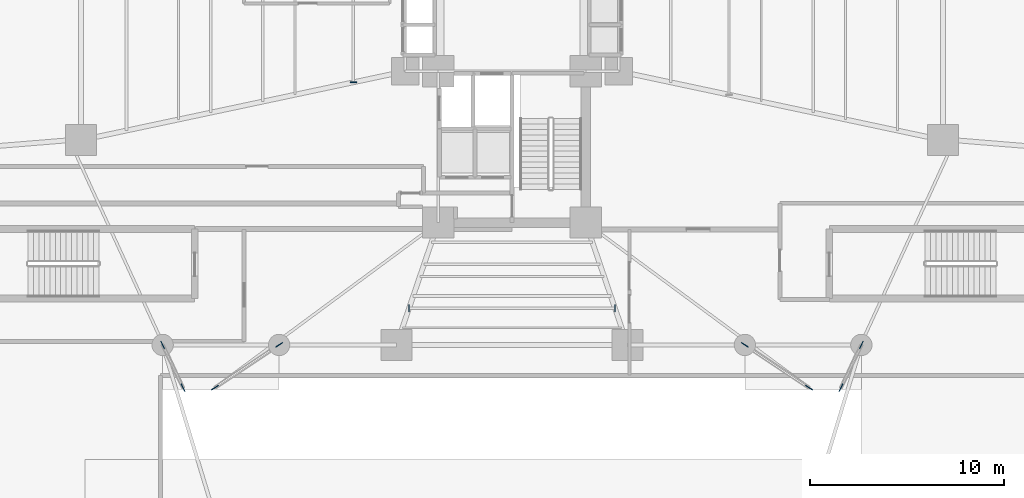
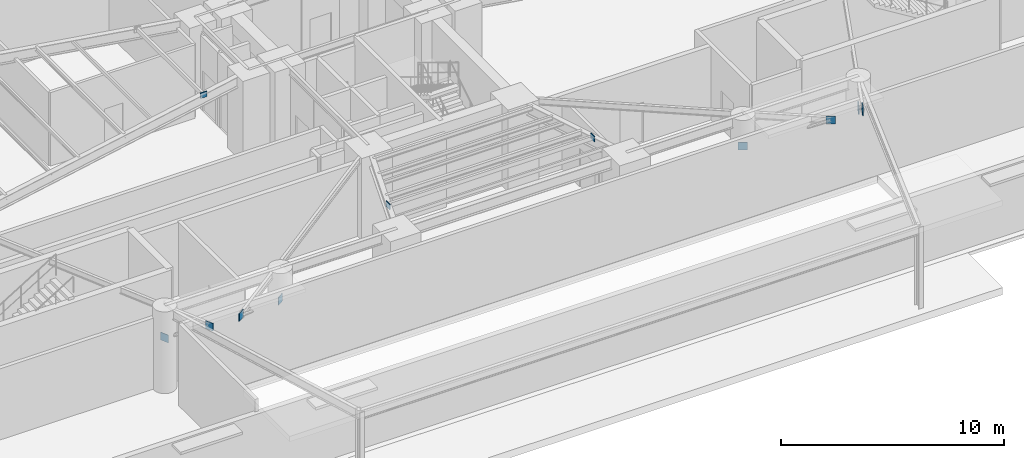
# One storey, part 13 of 31: 11 plates.
"""IFC4 building model written with IfcOpenShell, lengths in metres."""

import ifcopenshell
import ifcopenshell.guid

model = None  # the IFC model being written
_history = None  # IfcOwnerHistory: only IFC2X3 demands one
_inside = {}  # id of a spatial element -> (the spatial element, [elements in it])
_under = {}  # id of a project, library or spatial element -> (it, [spatial elements below it])
_declared = {}  # id of a project -> (the project, [libraries it declares])
_typed = {}  # id of a type object -> (the type object, [elements of that type])
_made_of = {}  # id of a material, layer set ... -> (it, [elements and type objects made of it])


def new_model(schema):
    """Start an empty IFC model of exactly this schema.

    Asked for "IFC4X3", IfcOpenShell would pick the latest addendum, in which some entities
    have other attributes; the version numbers below select the first issue.
    IFC2X3 requires an IfcOwnerHistory on every rooted entity: one is made here for all.
    """
    global model, _history
    if schema == "IFC4X3":
        model = ifcopenshell.file(schema_version=(4, 3, 0, 0))
    else:
        model = ifcopenshell.file(schema=schema)
    _inside.clear()
    _under.clear()
    _declared.clear()
    _typed.clear()
    _made_of.clear()
    _history = None
    if model.schema == "IFC2X3":
        org = make("IfcOrganization", Name="unknown")
        user = make(
            "IfcPersonAndOrganization",
            ThePerson=make("IfcPerson", FamilyName="unknown"),
            TheOrganization=org,
        )
        app = make(
            "IfcApplication",
            ApplicationDeveloper=org,
            Version="unknown",
            ApplicationFullName="unknown",
            ApplicationIdentifier="unknown",
        )
        _history = make(
            "IfcOwnerHistory",
            OwningUser=user,
            OwningApplication=app,
            ChangeAction="ADDED",
            CreationDate=0,
        )
    return model


def make(cls, **values):
    """One entity of the class cls with the attributes given. An attribute that is None is left unset."""
    return model.create_entity(
        cls, **{name: value for name, value in values.items() if value is not None}
    )


def rooted(cls, **values):
    """An entity with a GlobalId (a new one), such as an element, a storey or a relation."""
    return make(cls, GlobalId=ifcopenshell.guid.new(), OwnerHistory=_history, **values)


def si_unit(unit_type, name, prefix=None):
    """IfcSIUnit, for example si_unit("LENGTHUNIT", "METRE", prefix="MILLI")."""
    return make("IfcSIUnit", UnitType=unit_type, Prefix=prefix, Name=name)


def assignment(units):
    """IfcUnitAssignment: the units of a project."""
    return None if units is None else make("IfcUnitAssignment", Units=units)


def point(xyz):
    """IfcCartesianPoint."""
    return None if xyz is None else make("IfcCartesianPoint", Coordinates=xyz)


def direction(xyz):
    """IfcDirection."""
    return None if xyz is None else make("IfcDirection", DirectionRatios=xyz)


def frame(location, z_axis=None, x_axis=None):
    """IfcAxis2Placement3D, a coordinate frame: its origin and axes. An axis left out is left unset."""
    return make(
        "IfcAxis2Placement3D",
        Location=point(location),
        Axis=direction(z_axis),
        RefDirection=direction(x_axis),
    )


def frame_2d(location, x_axis=None):
    """IfcAxis2Placement2D, a coordinate frame in the plane: its origin and x axis."""
    return make(
        "IfcAxis2Placement2D", Location=point(location), RefDirection=direction(x_axis)
    )


def origin():
    """The frame at (0, 0, 0) with its axes left unset."""
    return frame((0.0, 0.0, 0.0))


def origin_2d():
    """The frame at (0, 0) in the plane with its x axis left unset."""
    return frame_2d((0.0, 0.0))


def place(relative_to, where):
    """IfcLocalPlacement: puts the frame where relative to a parent placement (None: the world)."""
    return make(
        "IfcLocalPlacement", PlacementRelTo=relative_to, RelativePlacement=where
    )


def context(
    kind, dimensions, precision=None, world=None, true_north=None, identifier=None
):
    """IfcGeometricRepresentationContext, for example the 3D "Model" context."""
    return make(
        "IfcGeometricRepresentationContext",
        ContextIdentifier=identifier,
        ContextType=kind,
        CoordinateSpaceDimension=dimensions,
        Precision=precision,
        WorldCoordinateSystem=world,
        TrueNorth=true_north,
    )


def subcontext(parent, identifier, kind, view, scale=None):
    """IfcGeometricRepresentationSubContext, for example "Body" below "Model"."""
    return make(
        "IfcGeometricRepresentationSubContext",
        ContextIdentifier=identifier,
        ContextType=kind,
        ParentContext=parent,
        TargetScale=scale,
        TargetView=view,
    )


def project(units=None, contexts=None):
    """IfcProject with its units and contexts."""
    return rooted(
        "IfcProject",
        Name="project",
        RepresentationContexts=contexts,
        UnitsInContext=assignment(units),
    )


def spatial(cls, under=None, at=None, **own):
    """A site, building, storey or space (cls), placed at a placement, below another one or the project."""
    s = rooted(cls, ObjectPlacement=at, **own)
    if under is not None:
        _under.setdefault(under.id(), (under, []))[1].append(s)
    return s


def profile(cls, at=None, kind="AREA", **sizes):
    """A parametric profile (cls). Its sizes go by their IFC names, for example OverallWidth=200.0."""
    return make(cls, ProfileType=kind, Position=at, **sizes)


def rectangle(**sizes):
    """IfcRectangleProfileDef."""
    return profile("IfcRectangleProfileDef", **sizes)


def extrude(swept, where, along, depth):
    """IfcExtrudedAreaSolid: the profile swept, set in the frame where, extruded along a direction by depth."""
    return make(
        "IfcExtrudedAreaSolid",
        SweptArea=swept,
        Position=where,
        ExtrudedDirection=direction(along),
        Depth=depth,
    )


def shape(context_of_items, identifier, shape_type, items):
    """IfcShapeRepresentation: the items that make up one representation, for example the "Body"."""
    return make(
        "IfcShapeRepresentation",
        ContextOfItems=context_of_items,
        RepresentationIdentifier=identifier,
        RepresentationType=shape_type,
        Items=items,
    )


def source(mapping_origin, context_of_items, identifier, shape_type, items):
    """IfcRepresentationMap: a shape defined once, which mapped items show again and again."""
    return make(
        "IfcRepresentationMap",
        MappingOrigin=mapping_origin,
        MappedRepresentation=shape(context_of_items, identifier, shape_type, items),
    )


def transform(
    local_origin,
    x_axis=None,
    y_axis=None,
    z_axis=None,
    scale=None,
    scale2=None,
    scale3=None,
    uniform=True,
):
    """IfcCartesianTransformationOperator3D, or its non-uniform kind. x_axis, y_axis, z_axis: its Axis1, 2, 3."""
    if uniform:
        return make(
            "IfcCartesianTransformationOperator3D",
            Axis1=direction(x_axis),
            Axis2=direction(y_axis),
            LocalOrigin=point(local_origin),
            Scale=scale,
            Axis3=direction(z_axis),
        )
    return make(
        "IfcCartesianTransformationOperator3DnonUniform",
        Axis1=direction(x_axis),
        Axis2=direction(y_axis),
        LocalOrigin=point(local_origin),
        Scale=scale,
        Axis3=direction(z_axis),
        Scale2=scale2,
        Scale3=scale3,
    )


def mapped(mapping_source, mapping_target):
    """IfcMappedItem: shows the shape of a source again, moved by a transform."""
    return make(
        "IfcMappedItem", MappingSource=mapping_source, MappingTarget=mapping_target
    )


def material(Name=None, Category=None):
    """IfcMaterial."""
    return make("IfcMaterial", Name=Name, Category=Category)


def made_of(thing, what):
    """Note that an element or type object is made of a material, layer set ...; save() writes the relation."""
    if what is not None:
        _made_of.setdefault(what.id(), (what, []))[1].append(thing)
    return thing


def type_object(cls, material=None, **own):
    """A type object (cls), such as IfcWallType, which elements share."""
    return made_of(rooted(cls, **own), material)


def element(
    cls,
    number,
    at=None,
    inside=None,
    cuts=None,
    type_object=None,
    material=None,
    context=None,
    identifier="Body",
    shape_type=None,
    held_by="IfcProductDefinitionShape",
    body=None,
    shapes=None,
    **own,
):
    """One element of the class cls, such as IfcWall. Its Tag is "e" and its number.

    at: its placement. inside: the storey or other place that contains it. cuts: it is an
    opening in that element (IfcRelVoidsElement). A single representation is given by context,
    identifier, shape_type and body (its items); several are given by shapes. held_by: the class
    of the entity that holds the representations. save() writes the other relations.
    """
    e = rooted(cls, Tag="e%d" % number, ObjectPlacement=at, **own)
    if body is not None:
        shapes = [shape(context, identifier, shape_type, body)]
    if shapes is not None:
        e.Representation = make(held_by, Representations=shapes)
    if inside is not None:
        _inside.setdefault(inside.id(), (inside, []))[1].append(e)
    if cuts is not None:
        rooted(
            "IfcRelVoidsElement", RelatingBuildingElement=cuts, RelatedOpeningElement=e
        )
    if type_object is not None:
        _typed.setdefault(type_object.id(), (type_object, []))[1].append(e)
    return made_of(e, material)


def aggregate(whole, parts):
    """IfcRelAggregates: a whole, such as a stair, and the parts it consists of."""
    return rooted("IfcRelAggregates", RelatingObject=whole, RelatedObjects=parts)


def save(model, path):
    """Write the relations noted so far, then the file.

    IfcRelAggregates (storeys below a building ...), IfcRelContainedInSpatialStructure (elements
    in a storey), IfcRelDefinesByType, IfcRelAssociatesMaterial and IfcRelDeclares: one each for
    every whole, place, type object, material and project.
    """
    for whole, parts in _under.values():
        aggregate(whole, parts)
    for where, things in _inside.values():
        rooted(
            "IfcRelContainedInSpatialStructure",
            RelatedElements=things,
            RelatingStructure=where,
        )
    for kind, things in _typed.values():
        rooted("IfcRelDefinesByType", RelatedObjects=things, RelatingType=kind)
    for what, things in _made_of.values():
        rooted("IfcRelAssociatesMaterial", RelatedObjects=things, RelatingMaterial=what)
    for by, libraries in _declared.values():
        rooted("IfcRelDeclares", RelatingContext=by, RelatedDefinitions=libraries)
    model.write(path)


model = new_model("IFC4")

# Units and contexts
model_context = context("Model", 3, precision=1e-05, world=origin(), true_north=direction((0.0, 1.0)))
body_context = subcontext(model_context, "Body", "Model", "MODEL_VIEW")
ifc_project = project(units=[si_unit("LENGTHUNIT", "METRE"), si_unit("AREAUNIT", "SQUARE_METRE"), si_unit("VOLUMEUNIT", "CUBIC_METRE"), si_unit("PLANEANGLEUNIT", "RADIAN"), si_unit("MASSUNIT", "GRAM", prefix="KILO")], contexts=[model_context])

# Site, building, storey
site_placement = place(None, origin())
site = spatial("IfcSite", under=ifc_project, at=site_placement, CompositionType="ELEMENT")
building_placement = place(site_placement, origin())
building = spatial("IfcBuilding", under=site, at=building_placement, Name="Sahyath Konkavel Grand Hotel", CompositionType="ELEMENT")
storey_placement = place(building_placement, origin())
storey = spatial("IfcBuildingStorey", under=building, at=storey_placement, Name="L00", CompositionType="ELEMENT", Elevation=0.0)

# Plates
ifc_material = material(Name="Steel E450", Category="steel")
plate_type = type_object("IfcPlateType", Name="GUSSET-END-35", PredefinedType="USERDEFINED", material=ifc_material)
shared_shape_1 = source(origin(), body_context, "Body", "SweptSolid", [
    extrude(rectangle(XDim=0.0400390625, YDim=0.340087890625, at=origin_2d()), origin(), (0.0, 0.0, 1.0), 0.300048828125),
])
for number, where, z_axis, x_axis, name in (
    (1, (-8.172119140625, -2.968017578125, 4.22021484375), (0.0, 0.0, 1.0), (0.0, -1.0, 0.0), "L00 Sub-Beam W-1 End Cap B"),
    (2, (-5.304931640625, -14.610107421875, 4.22021484375), (0.0, 0.0, 1.0), (1.0, 0.0, 0.0), "L00 Sub-Beam S-5 End Cap A"),
    (3, (5.304931640625, -14.610107421875, 4.22021484375), (0.0, 0.0, 1.0), (1.0, 0.0, 0.0), "L00 Sub-Beam S-5 End Cap B"),
):
    element("IfcPlate", number, at=place(storey_placement, frame(where, z_axis=z_axis, x_axis=x_axis)), inside=storey, type_object=plate_type, Name=name, ObjectType="GUSSET_PLATE", PredefinedType="USERDEFINED", context=body_context, shape_type="MappedRepresentation", body=[
        mapped(shared_shape_1, transform((0.0, 0.0, 0.0), scale=1.0)),
    ])
shared_shape_2 = source(origin(), body_context, "Body", "SweptSolid", [
    extrude(rectangle(XDim=0.419921875, YDim=0.034912109375, at=origin_2d()), origin(), (0.0, 0.0, 1.0), 0.419921875),
])
for number, where, z_axis, x_axis, name in (
    (4, (-18.0, -16.5, 2.489990234375), (0.0, 0.0, 1.0), (0.430731627144, -0.902480063701, 0.0), "Monsoon Canopy Strut Gusset Plate S-West-1-pier"),
    (5, (-16.949951171875, -18.699951171875, 4.094970703125), (0.0, 0.0, 1.0), (0.430731627144, -0.902480063701, 0.0), "Monsoon Canopy Strut Gusset Plate S-West-1-tip"),
    (6, (-12.0, -16.5, 2.489990234375), (0.0, 0.0, 1.0), (-0.83205094808, -0.554699215611, 0.0), "Monsoon Canopy Strut Gusset Plate S-West-2-pier"),
    (7, (-15.300048828125, -18.699951171875, 4.094970703125), (0.0, 0.0, 1.0), (-0.83205094808, -0.554699215611, 0.0), "Monsoon Canopy Strut Gusset Plate S-West-2-tip"),
    (8, (12.0, -16.5, 2.489990234375), (0.0, 0.0, 1.0), (0.83205094808, -0.554699215611, 0.0), "Monsoon Canopy Strut Gusset Plate S-East-1-pier"),
    (9, (15.300048828125, -18.699951171875, 4.094970703125), (0.0, 0.0, 1.0), (0.83205094808, -0.554699215611, 0.0), "Monsoon Canopy Strut Gusset Plate S-East-1-tip"),
    (10, (18.0, -16.5, 2.489990234375), (0.0, 0.0, 1.0), (-0.430731627144, -0.902480063701, 0.0), "Monsoon Canopy Strut Gusset Plate S-East-2-pier"),
    (11, (16.949951171875, -18.699951171875, 4.094970703125), (0.0, 0.0, 1.0), (-0.430731627144, -0.902480063701, 0.0), "Monsoon Canopy Strut Gusset Plate S-East-2-tip"),
):
    element("IfcPlate", number, at=place(storey_placement, frame(where, z_axis=z_axis, x_axis=x_axis)), inside=storey, type_object=plate_type, Name=name, ObjectType="GUSSET_PLATE", PredefinedType="USERDEFINED", context=body_context, shape_type="MappedRepresentation", body=[
        mapped(shared_shape_2, transform((0.0, 0.0, 0.0), scale=1.0)),
    ])

save(model, "model.ifc")
